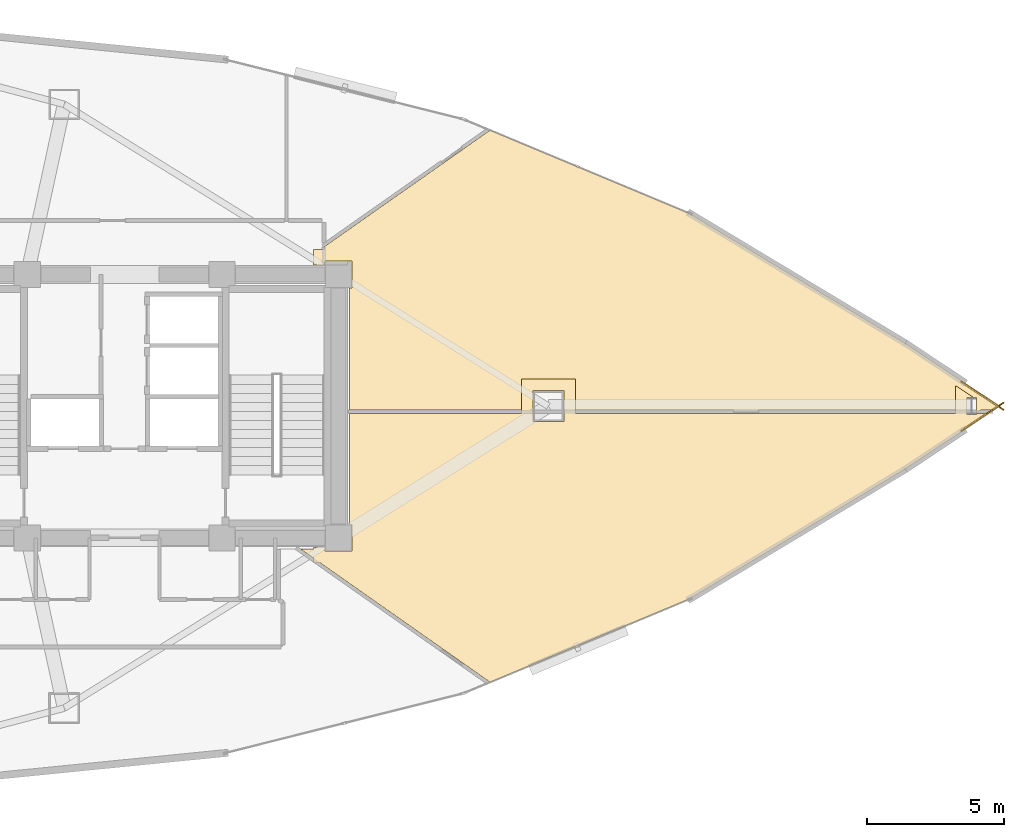
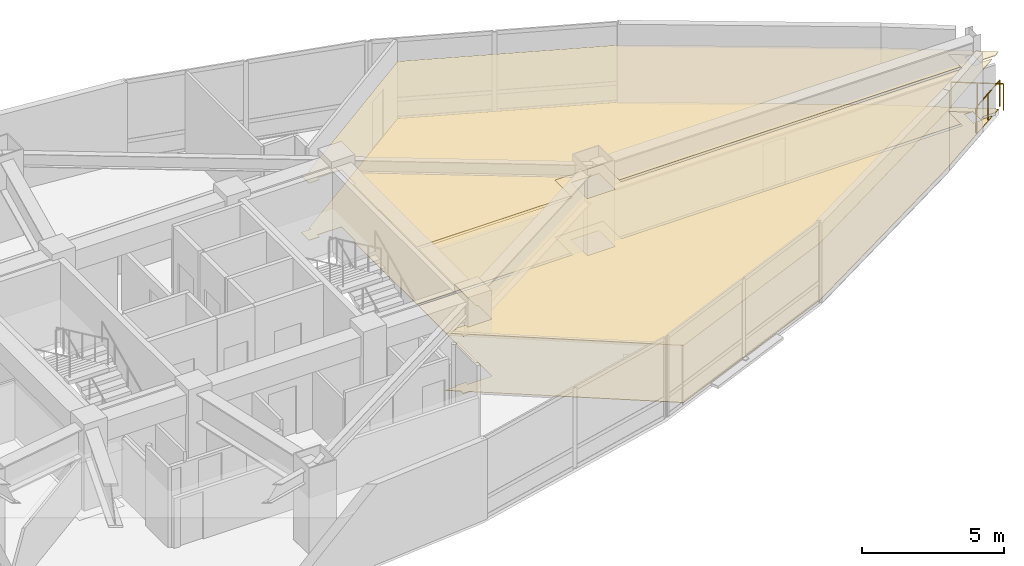
# One storey, part 18 of 18: 4 coverings, 2 railings.
"""IFC4 building model written with IfcOpenShell, lengths in metres."""

from ifc_helpers import new_model, si_unit, direction, frame, origin, origin_2d, place, context, subcontext, project, spatial, polyline, circle, outline, extrude, material, layer, layer_set, type_object, element, save


model = new_model("IFC4")

# Units and contexts
model_context = context("Model", 3, precision=1e-05, world=origin(), true_north=direction((0.0, 1.0)))
body_context = subcontext(model_context, "Body", "Model", "MODEL_VIEW")
ifc_project = project(units=[si_unit("LENGTHUNIT", "METRE"), si_unit("AREAUNIT", "SQUARE_METRE"), si_unit("VOLUMEUNIT", "CUBIC_METRE"), si_unit("PLANEANGLEUNIT", "RADIAN"), si_unit("MASSUNIT", "GRAM", prefix="KILO")], contexts=[model_context])

# Site, building, storey
site_placement = place(None, origin())
site = spatial("IfcSite", under=ifc_project, at=site_placement, CompositionType="ELEMENT")
building_placement = place(site_placement, origin())
building = spatial("IfcBuilding", under=site, at=building_placement, Name="Menara Vayukalpa", CompositionType="ELEMENT")
storey_placement = place(building_placement, frame((0.0, 0.0, 169.199951171875)))
storey = spatial("IfcBuildingStorey", under=building, at=storey_placement, Name="L42", CompositionType="ELEMENT", Elevation=169.199951171875)

# Coverings
ifc_material_1 = material(Name="Mineral Fibre Acoustic Ceiling Tile", Category="masonry")
ifc_layer_1 = layer(ifc_material_1, 0.02490234375)
ifc_layer_set_1 = layer_set([ifc_layer_1], Name="Mineral Fibre Acoustic Ceiling Tile")
covering_type_1 = type_object("IfcCoveringType", Name="COV-CLG1", PredefinedType="CEILING", material=ifc_layer_set_1)
covering_1_placement = place(storey_placement, frame((0.0, 0.0, 2.449951171875)))
element("IfcCovering", 1, at=covering_1_placement, inside=storey, type_object=covering_type_1, Name="L42 Executive Boardroom Acoustic Ceiling", PredefinedType="CEILING", context=body_context, shape_type="SweptSolid", body=[
    extrude(outline(polyline([(32.043701171875, 16.7724609375), (32.04296875, 16.773193359375), (32.042236328125, 16.773681640625), (32.041748046875, 16.774658203125), (32.041259765625, 16.775390625), (32.041015625, 16.7763671875), (32.04052734375, 16.77734375), (32.040283203125, 16.7783203125), (32.040283203125, 16.779296875), (32.040283203125, 16.780029296875), (32.040283203125, 16.781005859375), (32.040283203125, 16.781982421875), (32.040771484375, 16.782958984375), (32.041015625, 16.783935546875), (32.04150390625, 16.784912109375), (32.0419921875, 16.78564453125), (32.04248046875, 16.786376953125), (32.043212890625, 16.787109375), (32.0439453125, 16.787841796875), (32.044677734375, 16.788330078125), (32.04541015625, 16.788818359375), (32.04638671875, 16.789306640625), (32.04736328125, 16.78955078125), (32.04833984375, 16.789794921875), (32.04931640625, 16.7900390625), (32.05029296875, 16.7900390625), (32.489990234375, 16.7900390625), (32.489990234375, 16.85009765625), (32.909912109375, 16.85009765625), (32.909912109375, 16.7099609375), (33.889892578125, 16.7099609375), (33.889892578125, 17.68994140625), (33.81005859375, 17.68994140625), (33.81005859375, 21.72998046875), (33.81005859375, 21.73095703125), (33.810302734375, 21.73193359375), (33.810302734375, 21.73291015625), (33.810791015625, 21.73388671875), (33.811279296875, 21.734619140625), (33.811767578125, 21.735595703125), (33.812255859375, 21.736328125), (33.81298828125, 21.737060546875), (33.813720703125, 21.73779296875), (33.814453125, 21.73828125), (33.815185546875, 21.73876953125), (33.816162109375, 21.7392578125), (33.817138671875, 21.739501953125), (33.818115234375, 21.73974609375), (33.819091796875, 21.739990234375), (33.820068359375, 21.739990234375), (40.07421875, 21.739990234375), (40.07421875, 22.985107421875), (42.044189453125, 22.985107421875), (42.044189453125, 21.739990234375), (55.9169921875, 21.739990234375), (55.9169921875, 22.72900390625), (55.947265625, 22.72900390625), (56.580078125, 22.30908203125), (56.3369140625, 22.30908203125), (56.3369140625, 21.69091796875), (56.6669921875, 21.69091796875), (56.6669921875, 21.739990234375), (57.10888671875, 21.739990234375), (57.110107421875, 21.739990234375), (57.111083984375, 21.73974609375), (57.11181640625, 21.739501953125), (57.11279296875, 21.7392578125), (57.11376953125, 21.73876953125), (57.114501953125, 21.73828125), (57.115478515625, 21.73779296875), (57.1162109375, 21.737060546875), (57.11669921875, 21.736328125), (57.1171875, 21.735595703125), (57.117919921875, 21.734619140625), (57.1181640625, 21.73388671875), (57.11865234375, 21.73291015625), (57.118896484375, 21.73193359375), (57.118896484375, 21.73095703125), (57.118896484375, 21.72998046875), (57.118896484375, 21.72900390625), (57.118896484375, 21.72802734375), (57.11865234375, 21.72705078125), (57.1181640625, 21.726318359375), (57.117919921875, 21.725341796875), (57.1171875, 21.724365234375), (57.11669921875, 21.7236328125), (57.1162109375, 21.722900390625), (57.115234375, 21.722412109375), (57.114501953125, 21.7216796875), (54.0810546875, 19.708251953125), (54.080810546875, 19.7080078125), (46.231201171875, 14.98388671875), (46.22998046875, 14.9833984375), (38.930908203125, 11.937744140625), (38.93017578125, 11.937255859375), (38.92919921875, 11.93701171875), (38.92822265625, 11.93701171875), (38.92724609375, 11.93701171875), (38.92626953125, 11.93701171875), (38.92529296875, 11.93701171875), (38.924560546875, 11.937255859375), (38.923583984375, 11.9375), (38.922607421875, 11.93798828125), (38.921875, 11.9384765625), (38.921142578125, 11.93896484375), (38.92041015625, 11.939453125), (38.91943359375, 11.940185546875), (38.91455078125, 11.944091796875), (32.72998046875, 16.2900390625), (32.489990234375, 16.2900390625), (32.489990234375, 16.458740234375), (32.04443359375, 16.771728515625), (32.043701171875, 16.7724609375)]), holes=[polyline([(41.6240234375, 22.56494140625), (40.494140625, 22.56494140625), (40.494140625, 21.43505859375), (41.6240234375, 21.43505859375), (41.6240234375, 22.56494140625)])]), origin(), (0.0, 0.0, 1.0), 0.025146484375),
])
covering_2_placement = place(storey_placement, frame((0.0, 0.0, 2.449951171875)))
element("IfcCovering", 2, at=covering_2_placement, inside=storey, type_object=covering_type_1, Name="L42 Client Conference Room Acoustic Ceiling", PredefinedType="CEILING", context=body_context, shape_type="SweptSolid", body=[
    extrude(outline(polyline([(40.07421875, 21.014892578125), (40.07421875, 21.860107421875), (33.820068359375, 21.860107421875), (33.819091796875, 21.860107421875), (33.818115234375, 21.860107421875), (33.817138671875, 21.8603515625), (33.816162109375, 21.86083984375), (33.815185546875, 21.861083984375), (33.814453125, 21.86181640625), (33.813720703125, 21.8623046875), (33.81298828125, 21.86279296875), (33.812255859375, 21.86376953125), (33.811767578125, 21.864501953125), (33.811279296875, 21.865234375), (33.810791015625, 21.8662109375), (33.810302734375, 21.8671875), (33.810302734375, 21.867919921875), (33.81005859375, 21.868896484375), (33.81005859375, 21.8701171875), (33.81005859375, 26.31005859375), (33.889892578125, 26.31005859375), (33.889892578125, 27.2900390625), (32.909912109375, 27.2900390625), (32.909912109375, 27.14990234375), (32.489990234375, 27.14990234375), (32.489990234375, 27.7099609375), (32.8701171875, 27.7099609375), (32.8701171875, 27.802978515625), (32.8701171875, 27.80419921875), (32.8701171875, 27.804931640625), (32.870361328125, 27.805908203125), (32.87060546875, 27.806884765625), (32.87109375, 27.8076171875), (32.87158203125, 27.80859375), (32.872314453125, 27.809326171875), (32.872802734375, 27.81005859375), (32.87353515625, 27.810791015625), (32.874267578125, 27.811279296875), (38.91455078125, 32.055908203125), (38.91943359375, 32.059814453125), (38.92041015625, 32.060546875), (38.921142578125, 32.06103515625), (38.921875, 32.0615234375), (38.922607421875, 32.06201171875), (38.923583984375, 32.0625), (38.924560546875, 32.062744140625), (38.92529296875, 32.06298828125), (38.92626953125, 32.06298828125), (38.92724609375, 32.06298828125), (38.92822265625, 32.06298828125), (38.92919921875, 32.06298828125), (38.93017578125, 32.062744140625), (38.930908203125, 32.062255859375), (46.22998046875, 29.0166015625), (46.231201171875, 29.01611328125), (54.080810546875, 24.2919921875), (54.0810546875, 24.291748046875), (57.521240234375, 22.00830078125), (57.52197265625, 22.0078125), (57.522705078125, 22.007080078125), (57.5234375, 22.00634765625), (57.52392578125, 22.005615234375), (57.5244140625, 22.004638671875), (57.52490234375, 22.00390625), (57.525390625, 22.0029296875), (57.525390625, 22.001953125), (57.525634765625, 22.0009765625), (57.525634765625, 22.0), (57.525634765625, 21.9990234375), (57.525390625, 21.998046875), (57.525390625, 21.9970703125), (57.52490234375, 21.99609375), (57.5244140625, 21.995361328125), (57.52392578125, 21.994384765625), (57.5234375, 21.99365234375), (57.522705078125, 21.992919921875), (57.52197265625, 21.9921875), (57.521240234375, 21.99169921875), (57.310302734375, 21.8515625), (57.309326171875, 21.85107421875), (57.308349609375, 21.8505859375), (57.3076171875, 21.850341796875), (57.306396484375, 21.85009765625), (57.305419921875, 21.849853515625), (57.304443359375, 21.849853515625), (57.303466796875, 21.85009765625), (57.302490234375, 21.85009765625), (57.301513671875, 21.8505859375), (57.300537109375, 21.850830078125), (57.299560546875, 21.851318359375), (57.296875, 21.852783203125), (57.29150390625, 21.85546875), (57.2861328125, 21.857421875), (57.2802734375, 21.85888671875), (57.2744140625, 21.859619140625), (57.2685546875, 21.860107421875), (56.834716796875, 21.860107421875), (56.6669921875, 21.74853515625), (56.6669921875, 22.30908203125), (56.3369140625, 22.30908203125), (56.3369140625, 21.69091796875), (56.580078125, 21.69091796875), (55.947265625, 21.27099609375), (55.9169921875, 21.27099609375), (55.9169921875, 21.860107421875), (42.044189453125, 21.860107421875), (42.044189453125, 21.014892578125), (40.07421875, 21.014892578125)]), holes=[polyline([(41.6240234375, 22.56494140625), (40.494140625, 22.56494140625), (40.494140625, 21.43505859375), (41.6240234375, 21.43505859375), (41.6240234375, 22.56494140625)])]), origin(), (0.0, 0.0, 1.0), 0.025146484375),
])
ifc_material_2 = material(Name="Porcelain Stoneware Floor Tile", Category="masonry")
ifc_layer_2 = layer(ifc_material_2, 0.02001953125)
ifc_layer_set_2 = layer_set([ifc_layer_2], Name="Porcelain Stoneware Floor Tile")
covering_type_2 = type_object("IfcCoveringType", Name="COV-FLR1", PredefinedType="FLOORING", material=ifc_layer_set_2)
covering_3_placement = place(storey_placement, origin())
element("IfcCovering", 3, at=covering_3_placement, inside=storey, type_object=covering_type_2, Name="L42 Executive Boardroom Porcelain Flooring", PredefinedType="FLOORING", context=body_context, shape_type="SweptSolid", body=[
    extrude(outline(polyline([(32.043701171875, 16.7724609375), (32.04296875, 16.773193359375), (32.042236328125, 16.773681640625), (32.041748046875, 16.774658203125), (32.041259765625, 16.775390625), (32.041015625, 16.7763671875), (32.04052734375, 16.77734375), (32.040283203125, 16.7783203125), (32.040283203125, 16.779296875), (32.040283203125, 16.780029296875), (32.040283203125, 16.781005859375), (32.040283203125, 16.781982421875), (32.040771484375, 16.782958984375), (32.041015625, 16.783935546875), (32.04150390625, 16.784912109375), (32.0419921875, 16.78564453125), (32.04248046875, 16.786376953125), (32.043212890625, 16.787109375), (32.0439453125, 16.787841796875), (32.044677734375, 16.788330078125), (32.04541015625, 16.788818359375), (32.04638671875, 16.789306640625), (32.04736328125, 16.78955078125), (32.04833984375, 16.789794921875), (32.04931640625, 16.7900390625), (32.05029296875, 16.7900390625), (32.489990234375, 16.7900390625), (32.489990234375, 16.85009765625), (32.909912109375, 16.85009765625), (32.909912109375, 16.7099609375), (33.889892578125, 16.7099609375), (33.889892578125, 17.68994140625), (33.81005859375, 17.68994140625), (33.81005859375, 21.72998046875), (33.81005859375, 21.73095703125), (33.810302734375, 21.73193359375), (33.810302734375, 21.73291015625), (33.810791015625, 21.73388671875), (33.811279296875, 21.734619140625), (33.811767578125, 21.735595703125), (33.812255859375, 21.736328125), (33.81298828125, 21.737060546875), (33.813720703125, 21.73779296875), (33.814453125, 21.73828125), (33.815185546875, 21.73876953125), (33.816162109375, 21.7392578125), (33.817138671875, 21.739501953125), (33.818115234375, 21.73974609375), (33.819091796875, 21.739990234375), (33.820068359375, 21.739990234375), (40.07421875, 21.739990234375), (40.07421875, 22.985107421875), (42.044189453125, 22.985107421875), (42.044189453125, 21.739990234375), (55.9169921875, 21.739990234375), (55.9169921875, 22.72900390625), (55.947265625, 22.72900390625), (56.580078125, 22.30908203125), (56.3369140625, 22.30908203125), (56.3369140625, 21.69091796875), (56.6669921875, 21.69091796875), (56.6669921875, 21.739990234375), (57.10888671875, 21.739990234375), (57.110107421875, 21.739990234375), (57.111083984375, 21.73974609375), (57.11181640625, 21.739501953125), (57.11279296875, 21.7392578125), (57.11376953125, 21.73876953125), (57.114501953125, 21.73828125), (57.115478515625, 21.73779296875), (57.1162109375, 21.737060546875), (57.11669921875, 21.736328125), (57.1171875, 21.735595703125), (57.117919921875, 21.734619140625), (57.1181640625, 21.73388671875), (57.11865234375, 21.73291015625), (57.118896484375, 21.73193359375), (57.118896484375, 21.73095703125), (57.118896484375, 21.72998046875), (57.118896484375, 21.72900390625), (57.118896484375, 21.72802734375), (57.11865234375, 21.72705078125), (57.1181640625, 21.726318359375), (57.117919921875, 21.725341796875), (57.1171875, 21.724365234375), (57.11669921875, 21.7236328125), (57.1162109375, 21.722900390625), (57.115234375, 21.722412109375), (57.114501953125, 21.7216796875), (54.0810546875, 19.708251953125), (54.080810546875, 19.7080078125), (46.231201171875, 14.98388671875), (46.22998046875, 14.9833984375), (38.930908203125, 11.937744140625), (38.93017578125, 11.937255859375), (38.92919921875, 11.93701171875), (38.92822265625, 11.93701171875), (38.92724609375, 11.93701171875), (38.92626953125, 11.93701171875), (38.92529296875, 11.93701171875), (38.924560546875, 11.937255859375), (38.923583984375, 11.9375), (38.922607421875, 11.93798828125), (38.921875, 11.9384765625), (38.921142578125, 11.93896484375), (38.92041015625, 11.939453125), (38.91943359375, 11.940185546875), (38.91455078125, 11.944091796875), (32.72998046875, 16.2900390625), (32.489990234375, 16.2900390625), (32.489990234375, 16.458740234375), (32.04443359375, 16.771728515625), (32.043701171875, 16.7724609375)]), holes=[polyline([(41.6240234375, 22.56494140625), (40.494140625, 22.56494140625), (40.494140625, 21.43505859375), (41.6240234375, 21.43505859375), (41.6240234375, 22.56494140625)])]), origin(), (0.0, 0.0, 1.0), 0.02001953125),
])
covering_4_placement = place(storey_placement, origin())
element("IfcCovering", 4, at=covering_4_placement, inside=storey, type_object=covering_type_2, Name="L42 Client Conference Room Porcelain Flooring", PredefinedType="FLOORING", context=body_context, shape_type="SweptSolid", body=[
    extrude(outline(polyline([(40.07421875, 21.014892578125), (40.07421875, 21.860107421875), (33.820068359375, 21.860107421875), (33.819091796875, 21.860107421875), (33.818115234375, 21.860107421875), (33.817138671875, 21.8603515625), (33.816162109375, 21.86083984375), (33.815185546875, 21.861083984375), (33.814453125, 21.86181640625), (33.813720703125, 21.8623046875), (33.81298828125, 21.86279296875), (33.812255859375, 21.86376953125), (33.811767578125, 21.864501953125), (33.811279296875, 21.865234375), (33.810791015625, 21.8662109375), (33.810302734375, 21.8671875), (33.810302734375, 21.867919921875), (33.81005859375, 21.868896484375), (33.81005859375, 21.8701171875), (33.81005859375, 26.31005859375), (33.889892578125, 26.31005859375), (33.889892578125, 27.2900390625), (32.909912109375, 27.2900390625), (32.909912109375, 27.14990234375), (32.489990234375, 27.14990234375), (32.489990234375, 27.7099609375), (32.8701171875, 27.7099609375), (32.8701171875, 27.802978515625), (32.8701171875, 27.80419921875), (32.8701171875, 27.804931640625), (32.870361328125, 27.805908203125), (32.87060546875, 27.806884765625), (32.87109375, 27.8076171875), (32.87158203125, 27.80859375), (32.872314453125, 27.809326171875), (32.872802734375, 27.81005859375), (32.87353515625, 27.810791015625), (32.874267578125, 27.811279296875), (38.91455078125, 32.055908203125), (38.91943359375, 32.059814453125), (38.92041015625, 32.060546875), (38.921142578125, 32.06103515625), (38.921875, 32.0615234375), (38.922607421875, 32.06201171875), (38.923583984375, 32.0625), (38.924560546875, 32.062744140625), (38.92529296875, 32.06298828125), (38.92626953125, 32.06298828125), (38.92724609375, 32.06298828125), (38.92822265625, 32.06298828125), (38.92919921875, 32.06298828125), (38.93017578125, 32.062744140625), (38.930908203125, 32.062255859375), (46.22998046875, 29.0166015625), (46.231201171875, 29.01611328125), (54.080810546875, 24.2919921875), (54.0810546875, 24.291748046875), (57.521240234375, 22.00830078125), (57.52197265625, 22.0078125), (57.522705078125, 22.007080078125), (57.5234375, 22.00634765625), (57.52392578125, 22.005615234375), (57.5244140625, 22.004638671875), (57.52490234375, 22.00390625), (57.525390625, 22.0029296875), (57.525390625, 22.001953125), (57.525634765625, 22.0009765625), (57.525634765625, 22.0), (57.525634765625, 21.9990234375), (57.525390625, 21.998046875), (57.525390625, 21.9970703125), (57.52490234375, 21.99609375), (57.5244140625, 21.995361328125), (57.52392578125, 21.994384765625), (57.5234375, 21.99365234375), (57.522705078125, 21.992919921875), (57.52197265625, 21.9921875), (57.521240234375, 21.99169921875), (57.310302734375, 21.8515625), (57.309326171875, 21.85107421875), (57.308349609375, 21.8505859375), (57.3076171875, 21.850341796875), (57.306396484375, 21.85009765625), (57.305419921875, 21.849853515625), (57.304443359375, 21.849853515625), (57.303466796875, 21.85009765625), (57.302490234375, 21.85009765625), (57.301513671875, 21.8505859375), (57.300537109375, 21.850830078125), (57.299560546875, 21.851318359375), (57.296875, 21.852783203125), (57.29150390625, 21.85546875), (57.2861328125, 21.857421875), (57.2802734375, 21.85888671875), (57.2744140625, 21.859619140625), (57.2685546875, 21.860107421875), (56.834716796875, 21.860107421875), (56.6669921875, 21.74853515625), (56.6669921875, 22.30908203125), (56.3369140625, 22.30908203125), (56.3369140625, 21.69091796875), (56.580078125, 21.69091796875), (55.947265625, 21.27099609375), (55.9169921875, 21.27099609375), (55.9169921875, 21.860107421875), (42.044189453125, 21.860107421875), (42.044189453125, 21.014892578125), (40.07421875, 21.014892578125)]), holes=[polyline([(41.6240234375, 22.56494140625), (40.494140625, 22.56494140625), (40.494140625, 21.43505859375), (41.6240234375, 21.43505859375), (41.6240234375, 22.56494140625)])]), origin(), (0.0, 0.0, 1.0), 0.02001953125),
])

# Railings
ifc_material_3 = material(Name="Laminated Glass and Stainless Steel 316 Guardrail", Category="steel")
railing_type = type_object("IfcRailingType", Name="RLG-EXT115", PredefinedType="GUARDRAIL", material=ifc_material_3)
railing_1_placement = place(storey_placement, frame((56.1171875, 21.107666015625, 0.0)))
element("IfcRailing", 5, at=railing_1_placement, inside=storey, type_object=railing_type, Name="L42 Column Corner Spandrel Guardrail 01-1", PredefinedType="GUARDRAIL", context=body_context, shape_type="SweptSolid", body=[
    extrude(circle(Radius=0.02392578125, at=origin_2d()), frame((0.0, 0.0, 1.1259765625), z_axis=(0.833186138722, 0.552992638505, 0.0), x_axis=(-0.552992638505, 0.833186138722, 0.0)), (0.0, 0.0, 1.0), 1.848876953125),
    extrude(circle(Radius=0.02099609375, at=origin_2d()), origin(), (0.0, 0.0, 1.0), 1.101806640625),
    extrude(circle(Radius=0.02099609375, at=origin_2d()), frame((0.770263671875, 0.51123046875, 0.0)), (0.0, 0.0, 1.0), 1.101806640625),
    extrude(circle(Radius=0.02099609375, at=origin_2d()), frame((1.54052734375, 1.0224609375, 0.0)), (0.0, 0.0, 1.0), 1.101806640625),
])
railing_2_placement = place(storey_placement, frame((57.65771484375, 21.869873046875, 0.0)))
element("IfcRailing", 6, at=railing_2_placement, inside=storey, type_object=railing_type, Name="L42 Column Corner Spandrel Guardrail 02-1", PredefinedType="GUARDRAIL", context=body_context, shape_type="SweptSolid", body=[
    extrude(circle(Radius=0.02392578125, at=origin_2d()), frame((0.0, 0.0, 1.1259765625), z_axis=(-0.833186138722, 0.552992638505, 0.0), x_axis=(-0.552992638505, -0.833186138722, 0.0)), (0.0, 0.0, 1.0), 1.848876953125),
    extrude(circle(Radius=0.02099609375, at=origin_2d()), origin(), (0.0, 0.0, 1.0), 1.101806640625),
    extrude(circle(Radius=0.02099609375, at=origin_2d()), frame((-0.770263671875, 0.51123046875, 0.0)), (0.0, 0.0, 1.0), 1.101806640625),
    extrude(circle(Radius=0.02099609375, at=origin_2d()), frame((-1.54052734375, 1.0224609375, 0.0)), (0.0, 0.0, 1.0), 1.101806640625),
])

save(model, "model.ifc")
